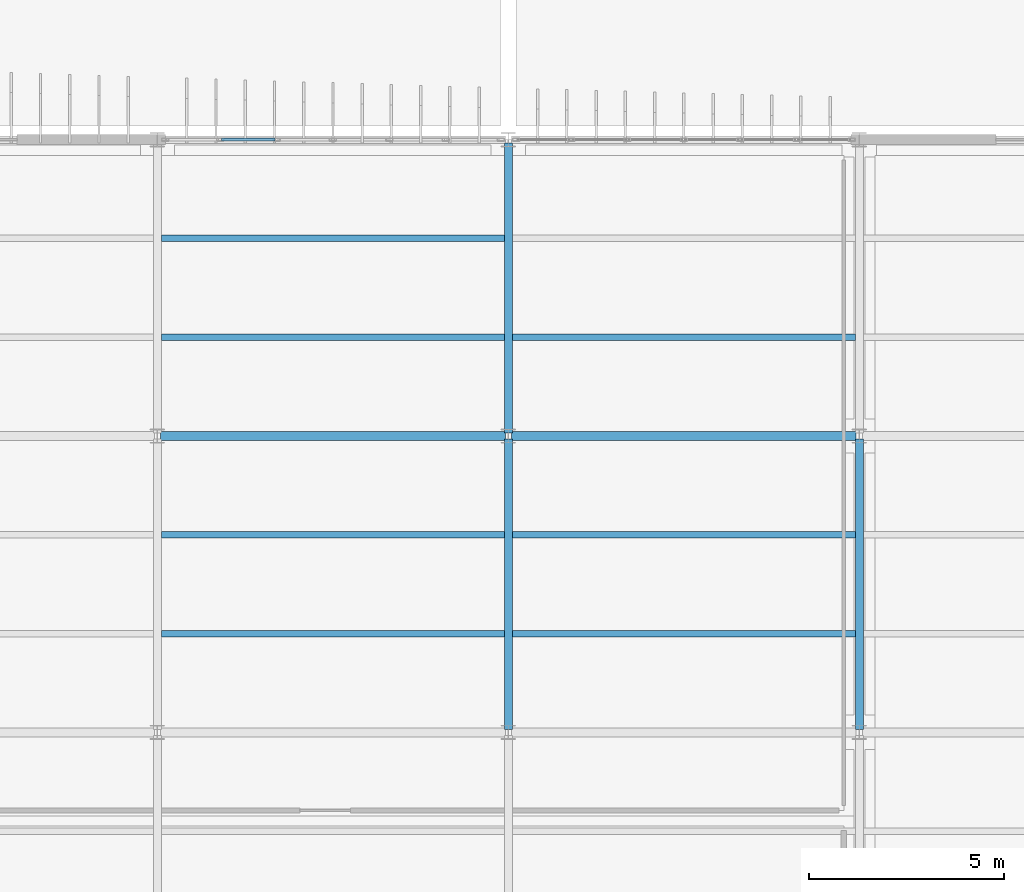
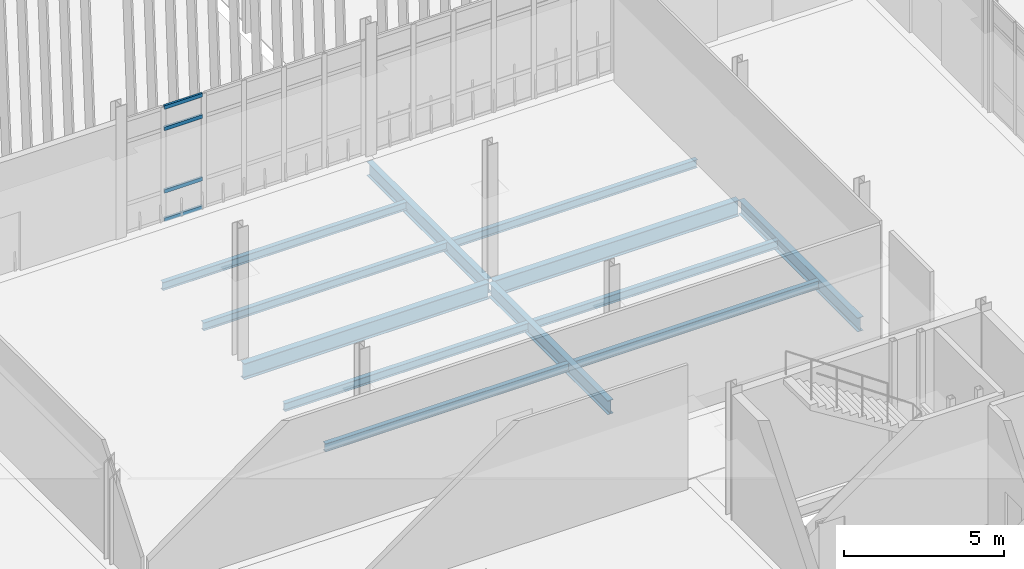
# One storey, part 51 of 161: 12 beams, 4 members, 1 element without a shape of its own.
"""IFC4 building model written with IfcOpenShell, lengths in metres."""

from ifc_helpers import new_model, si_unit, direction, frame, origin, origin_2d, place, context, subcontext, project, spatial, hollow_rectangle, i_section, extrude, material, material_profile, profile_set, type_object, element, aggregate, save


model = new_model("IFC4")

# Units and contexts
model_context = context("Model", 3, precision=1e-05, world=origin(), true_north=direction((0.0, 1.0)))
body_context = subcontext(model_context, "Body", "Model", "MODEL_VIEW")
ifc_project = project(units=[si_unit("LENGTHUNIT", "METRE"), si_unit("AREAUNIT", "SQUARE_METRE"), si_unit("VOLUMEUNIT", "CUBIC_METRE"), si_unit("PLANEANGLEUNIT", "RADIAN"), si_unit("MASSUNIT", "GRAM", prefix="KILO")], contexts=[model_context])

# Site, building, storey
site_placement = place(None, origin())
site = spatial("IfcSite", under=ifc_project, at=site_placement, CompositionType="ELEMENT")
building_placement = place(site_placement, origin())
building = spatial("IfcBuilding", under=site, at=building_placement, Name="Caisbarro Railhouse Central Library", CompositionType="ELEMENT")
storey_placement = place(building_placement, origin())
storey = spatial("IfcBuildingStorey", under=building, at=storey_placement, Name="L00", CompositionType="ELEMENT", Elevation=0.0)

# Beams
ifc_material_1 = material(Name="Steel ASTM A572 Grade 50", Category="steel")
ifc_material_profile_1 = material_profile(ifc_material_1, i_section(OverallWidth=0.22802734375, OverallDepth=0.60791015625, WebThickness=0.01123046875, FlangeThickness=0.017333984375, FilletRadius=0.02197265625, at=origin_2d()), Name="W610X113.0")
ifc_profile_set_1 = profile_set([ifc_material_profile_1], Name="Steel ASTM A572 Grade 50")
beam_type_1 = type_object("IfcBeamType", Name="BM-G04", PredefinedType="BEAM", material=ifc_profile_set_1)
for number, where, z_axis, x_axis, name in (
    (1, (45.080078125, 53.199951171875, -0.553955078125), (1.0, 0.0, 0.0), (0.0, 1.0, 0.0), "G04 beam L00 #272"),
    (2, (54.080078125, 53.199951171875, -0.553955078125), (1.0, 0.0, 0.0), (0.0, 1.0, 0.0), "G04 beam L00 #273"),
):
    element("IfcBeam", number, at=place(storey_placement, frame(where, z_axis=z_axis, x_axis=x_axis)), inside=storey, type_object=beam_type_1, Name=name, PredefinedType="BEAM", context=body_context, shape_type="SweptSolid", body=[
        extrude(i_section(OverallWidth=0.22802734375, OverallDepth=0.60791015625, WebThickness=0.01123046875, FlangeThickness=0.017333984375, FilletRadius=0.02197265625, at=origin_2d()), origin(), (0.0, 0.0, 1.0), 8.83984375),
    ])
ifc_material_profile_2 = material_profile(ifc_material_1, i_section(OverallWidth=0.208984375, OverallDepth=0.532958984375, WebThickness=0.01025390625, FlangeThickness=0.015625, FilletRadius=0.02001953125, at=origin_2d()), Name="W530X92.0")
ifc_profile_set_2 = profile_set([ifc_material_profile_2], Name="Steel ASTM A572 Grade 50")
beam_type_2 = type_object("IfcBeamType", Name="BM-G06", PredefinedType="BEAM", material=ifc_profile_set_2)
beam_1_placement = place(storey_placement, frame((54.0, 45.679931640625, -0.5166015625), z_axis=(0.0, 1.0, 0.0), x_axis=(-1.0, 0.0, 0.0)))
element("IfcBeam", 3, at=beam_1_placement, inside=storey, type_object=beam_type_2, Name="G06 beam L00 #309", PredefinedType="BEAM", context=body_context, shape_type="SweptSolid", body=[
    extrude(i_section(OverallWidth=0.208984375, OverallDepth=0.532958984375, WebThickness=0.01025390625, FlangeThickness=0.015625, FilletRadius=0.02001953125, at=origin_2d()), origin(), (0.0, 0.0, 1.0), 7.440185546875),
])
beam_2_placement = place(storey_placement, frame((54.0, 53.280029296875, -0.5166015625), z_axis=(0.0, 1.0, 0.0), x_axis=(-1.0, 0.0, 0.0)))
element("IfcBeam", 4, at=beam_2_placement, inside=storey, type_object=beam_type_2, Name="G06 beam L00 #310", PredefinedType="BEAM", context=body_context, shape_type="SweptSolid", body=[
    extrude(i_section(OverallWidth=0.208984375, OverallDepth=0.532958984375, WebThickness=0.01025390625, FlangeThickness=0.015625, FilletRadius=0.02001953125, at=origin_2d()), origin(), (0.0, 0.0, 1.0), 7.43994140625),
])
beam_3_placement = place(storey_placement, frame((63.0, 45.679931640625, -0.5166015625), z_axis=(0.0, 1.0, 0.0), x_axis=(-1.0, 0.0, 0.0)))
element("IfcBeam", 5, at=beam_3_placement, inside=storey, type_object=beam_type_2, Name="G06 beam L00 #313", PredefinedType="BEAM", context=body_context, shape_type="SweptSolid", body=[
    extrude(i_section(OverallWidth=0.208984375, OverallDepth=0.532958984375, WebThickness=0.01025390625, FlangeThickness=0.015625, FilletRadius=0.02001953125, at=origin_2d()), origin(), (0.0, 0.0, 1.0), 7.440185546875),
])
ifc_material_profile_3 = material_profile(ifc_material_1, i_section(OverallWidth=0.1650390625, OverallDepth=0.31005859375, WebThickness=0.005859375, FlangeThickness=0.009765625, FilletRadius=0.011962890625, at=origin_2d()), Name="W310X38.7")
ifc_profile_set_3 = profile_set([ifc_material_profile_3], Name="Steel ASTM A572 Grade 50")
beam_type_3 = type_object("IfcBeamType", Name="BM-J03", PredefinedType="JOIST", material=ifc_profile_set_3)
for number, where, z_axis, x_axis, name in (
    (6, (45.1044921875, 48.13330078125, -0.405029296875), (1.0, 0.0, 0.0), (0.0, 1.0, 0.0), "J03 beam L00 #363"),
    (7, (45.1044921875, 50.666748046875, -0.405029296875), (1.0, 0.0, 0.0), (0.0, 1.0, 0.0), "J03 beam L00 #364"),
    (8, (45.1044921875, 55.7333984375, -0.405029296875), (1.0, 0.0, 0.0), (0.0, 1.0, 0.0), "J03 beam L00 #365"),
    (9, (45.1044921875, 58.2666015625, -0.405029296875), (1.0, 0.0, 0.0), (0.0, 1.0, 0.0), "J03 beam L00 #366"),
    (10, (54.1044921875, 48.13330078125, -0.405029296875), (1.0, 0.0, 0.0), (0.0, 1.0, 0.0), "J03 beam L00 #369"),
    (11, (54.1044921875, 50.666748046875, -0.405029296875), (1.0, 0.0, 0.0), (0.0, 1.0, 0.0), "J03 beam L00 #370"),
    (12, (54.1044921875, 55.7333984375, -0.405029296875), (1.0, 0.0, 0.0), (0.0, 1.0, 0.0), "J03 beam L00 #371"),
):
    element("IfcBeam", number, at=place(storey_placement, frame(where, z_axis=z_axis, x_axis=x_axis)), inside=storey, type_object=beam_type_3, Name=name, PredefinedType="JOIST", context=body_context, shape_type="SweptSolid", body=[
        extrude(i_section(OverallWidth=0.1650390625, OverallDepth=0.31005859375, WebThickness=0.005859375, FlangeThickness=0.009765625, FilletRadius=0.011962890625, at=origin_2d()), origin(), (0.0, 0.0, 1.0), 8.791015625),
    ])

# Curtain wall, members
ifc_material_2 = material(Name="Anodised architectural aluminium", Category="aluminium")
curtain_wall_type = type_object("IfcCurtainWallType", Name="CW-CW01", PredefinedType="NOTDEFINED", material=ifc_material_2)
curtain_wall_placement = place(storey_placement, origin())
curtain_wall = element("IfcCurtainWall", 13, at=curtain_wall_placement, inside=storey, type_object=curtain_wall_type, Name="CW01 curtain wall L00 #14", PredefinedType="NOTDEFINED")
ifc_material_profile_4 = material_profile(ifc_material_2, hollow_rectangle(XDim=0.074951171875, YDim=0.139892578125, WallThickness=0.00390625, at=origin_2d()), Name="ALU-TRN-75X140")
ifc_profile_set_4 = profile_set([ifc_material_profile_4], Name="Anodised architectural aluminium")
member_type = type_object("IfcMemberType", Name="CWT-T01", PredefinedType="USERDEFINED", material=ifc_profile_set_4)
member_1_placement = place(storey_placement, frame((46.644287109375, 60.800048828125, 0.03759765625), z_axis=(1.0, 0.0, 0.0), x_axis=(0.0, 1.0, 0.0)))
member_1 = element("IfcMember", 14, at=member_1_placement, type_object=member_type, Name="CW01 transom 2.1", ObjectType="TRANSOM", PredefinedType="USERDEFINED", context=body_context, shape_type="SweptSolid", body=[
    extrude(hollow_rectangle(XDim=0.074951171875, YDim=0.139892578125, WallThickness=0.00390625, at=origin_2d()), origin(), (0.0, 0.0, 1.0), 1.37158203125),
])
member_2_placement = place(storey_placement, frame((46.644287109375, 60.800048828125, 1.1201171875), z_axis=(1.0, 0.0, 0.0), x_axis=(0.0, 1.0, 0.0)))
member_2 = element("IfcMember", 15, at=member_2_placement, type_object=member_type, Name="CW01 transom 2.2", ObjectType="TRANSOM", PredefinedType="USERDEFINED", context=body_context, shape_type="SweptSolid", body=[
    extrude(hollow_rectangle(XDim=0.074951171875, YDim=0.139892578125, WallThickness=0.00390625, at=origin_2d()), origin(), (0.0, 0.0, 1.0), 1.37158203125),
])
member_3_placement = place(storey_placement, frame((46.644287109375, 60.800048828125, 3.5), z_axis=(1.0, 0.0, 0.0), x_axis=(0.0, 1.0, 0.0)))
member_3 = element("IfcMember", 16, at=member_3_placement, type_object=member_type, Name="CW01 transom 2.3", ObjectType="TRANSOM", PredefinedType="USERDEFINED", context=body_context, shape_type="SweptSolid", body=[
    extrude(hollow_rectangle(XDim=0.074951171875, YDim=0.139892578125, WallThickness=0.00390625, at=origin_2d()), origin(), (0.0, 0.0, 1.0), 1.37158203125),
])
member_4_placement = place(storey_placement, frame((46.644287109375, 60.800048828125, 4.3125), z_axis=(1.0, 0.0, 0.0), x_axis=(0.0, 1.0, 0.0)))
member_4 = element("IfcMember", 17, at=member_4_placement, type_object=member_type, Name="CW01 transom 2.4", ObjectType="TRANSOM", PredefinedType="USERDEFINED", context=body_context, shape_type="SweptSolid", body=[
    extrude(hollow_rectangle(XDim=0.074951171875, YDim=0.139892578125, WallThickness=0.00390625, at=origin_2d()), origin(), (0.0, 0.0, 1.0), 1.37158203125),
])
aggregate(curtain_wall, [member_1, member_2, member_3, member_4])

save(model, "model.ifc")
